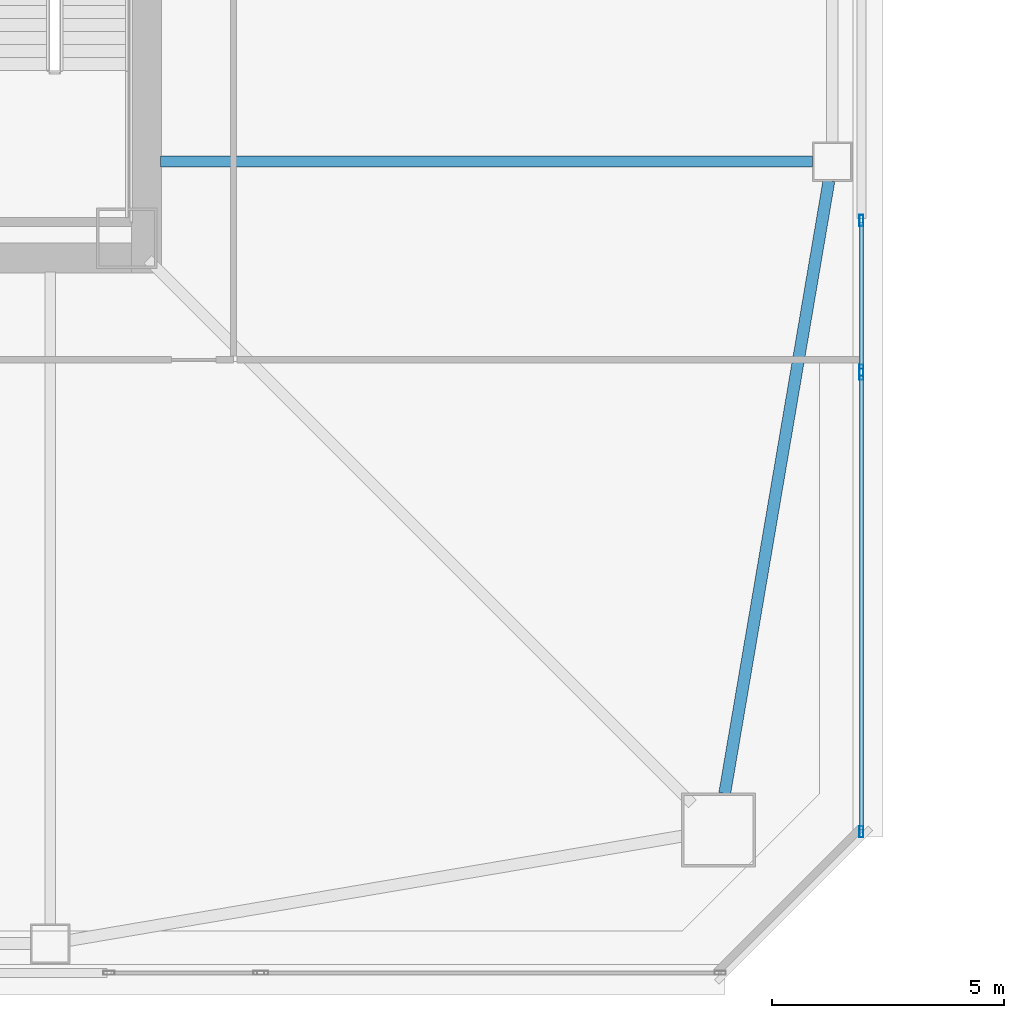
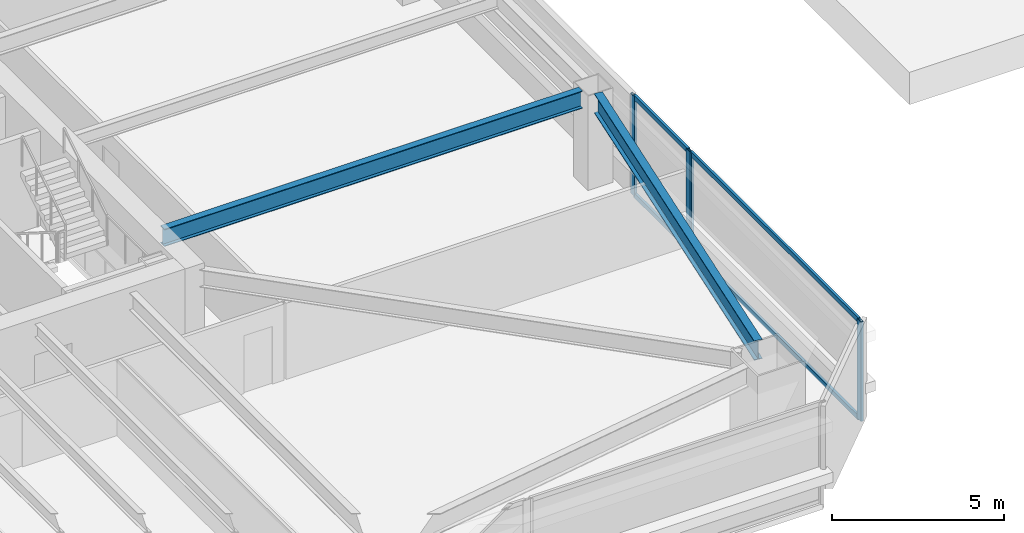
# One storey, part 10 of 46: 8 members, 2 beams, 2 elements without a shape of their own.
"""IFC4 building model written with IfcOpenShell, lengths in metres."""

from ifc_helpers import new_model, si_unit, direction, frame, origin, origin_2d, place, context, subcontext, project, spatial, hollow_rectangle, i_section, extrude, material, material_profile, profile_set, type_object, element, aggregate, save


model = new_model("IFC4")

# Units and contexts
model_context = context("Model", 3, precision=1e-05, world=origin(), true_north=direction((0.0, 1.0)))
body_context = subcontext(model_context, "Body", "Model", "MODEL_VIEW")
ifc_project = project(units=[si_unit("LENGTHUNIT", "METRE"), si_unit("AREAUNIT", "SQUARE_METRE"), si_unit("VOLUMEUNIT", "CUBIC_METRE"), si_unit("PLANEANGLEUNIT", "RADIAN"), si_unit("MASSUNIT", "GRAM", prefix="KILO")], contexts=[model_context])

# Site, building, storey
site_placement = place(None, origin())
site = spatial("IfcSite", under=ifc_project, at=site_placement, CompositionType="ELEMENT")
building_placement = place(site_placement, origin())
building = spatial("IfcBuilding", under=site, at=building_placement, Name="Tashvorn Skyway Center", CompositionType="ELEMENT")
storey_placement = place(building_placement, frame((0.0, 0.0, 31.699951171875)))
storey = spatial("IfcBuildingStorey", under=building, at=storey_placement, Name="L07", CompositionType="ELEMENT", Elevation=31.699951171875)

# Beams
ifc_material_1 = material(Name="Steel ASTM A992 Grade 50", Category="steel")
ifc_material_profile_1 = material_profile(ifc_material_1, i_section(OverallWidth=0.22998046875, OverallDepth=0.616943359375, WebThickness=0.01318359375, FlangeThickness=0.022216796875, at=origin_2d()), Name="W24X94")
ifc_profile_set_1 = profile_set([ifc_material_profile_1], Name="Steel ASTM A992 Grade 50")
beam_type_1 = type_object("IfcBeamType", Name="BM-BEAM-W24X94", PredefinedType="BEAM", material=ifc_profile_set_1)
beam_1_placement = place(storey_placement, frame((63.830078125, 26.60009765625, 3.04150390625), z_axis=(-1.0, 0.0, 0.0), x_axis=(0.0, -1.0, 0.0)))
element("IfcBeam", 1, at=beam_1_placement, inside=storey, type_object=beam_type_1, Name="Tower 1 L07 Primary Floor Girder FC-E1", PredefinedType="BEAM", context=body_context, shape_type="SweptSolid", body=[
    extrude(i_section(OverallWidth=0.22998046875, OverallDepth=0.616943359375, WebThickness=0.01318359375, FlangeThickness=0.022216796875, at=origin_2d()), origin(), (0.0, 0.0, 1.0), 14.050048828125),
])
ifc_material_profile_2 = material_profile(ifc_material_1, i_section(OverallWidth=0.256103515625, OverallDepth=0.693115234375, WebThickness=0.014404296875, FlangeThickness=0.023681640625, at=origin_2d()), Name="W27X114")
ifc_profile_set_2 = profile_set([ifc_material_profile_2], Name="Steel ASTM A992 Grade 50")
beam_type_2 = type_object("IfcBeamType", Name="BM-SPANDREL-W27X114", PredefinedType="SPANDREL", material=ifc_profile_set_2)
beam_2_placement = place(storey_placement, frame((61.933349609375, 12.983642578125, 3.003662109375), z_axis=(0.16771792509, 0.985835025551, 0.0), x_axis=(-0.985835025551, 0.16771792509, 0.0)))
element("IfcBeam", 2, at=beam_2_placement, inside=storey, type_object=beam_type_2, Name="Tower 1 L07 Spandrel Beam 04", PredefinedType="SPANDREL", context=body_context, shape_type="SweptSolid", body=[
    extrude(i_section(OverallWidth=0.256103515625, OverallDepth=0.693115234375, WebThickness=0.014404296875, FlangeThickness=0.023681640625, at=origin_2d()), origin(), (0.0, 0.0, 1.0), 13.39208984375),
])

# Curtain wall, members
ifc_material_2 = material(Name="Thermally broken bronze-anodized aluminium 6063-T6", Category="aluminium")
curtain_wall_type = type_object("IfcCurtainWallType", Name="CW-CW-Z1", PredefinedType="NOTDEFINED", material=ifc_material_2)
curtain_wall_1_placement = place(storey_placement, origin())
curtain_wall_1 = element("IfcCurtainWall", 3, at=curtain_wall_1_placement, inside=storey, type_object=curtain_wall_type, Name="Tower 1 L07 East Unitised Curtain Wall Glazing Group 3", PredefinedType="NOTDEFINED")
ifc_material_profile_3 = material_profile(ifc_material_2, hollow_rectangle(XDim=0.0849609375, YDim=0.239990234375, WallThickness=0.0048828125, at=origin_2d()), Name="ALU-MULL-85x240")
ifc_profile_set_3 = profile_set([ifc_material_profile_3], Name="Thermally broken bronze-anodized aluminium 6063-T6")
member_type_1 = type_object("IfcMemberType", Name="CWM-CW-Z1", PredefinedType="MULLION", material=ifc_profile_set_3)
member_1_placement = place(storey_placement, frame((64.8798828125, 25.330810546875, 0.0), z_axis=(0.0, 0.0, 1.0), x_axis=(1.0, 0.0, 0.0)))
member_1 = element("IfcMember", 4, at=member_1_placement, type_object=member_type_1, Name="CW-Z1 mullion 1", PredefinedType="MULLION", context=body_context, shape_type="SweptSolid", body=[
    extrude(hollow_rectangle(XDim=0.0849609375, YDim=0.239990234375, WallThickness=0.0048828125, at=origin_2d()), origin(), (0.0, 0.0, 1.0), 3.550048828125),
])
member_2_placement = place(storey_placement, frame((64.8798828125, 22.1025390625, 0.0), z_axis=(0.0, 0.0, 1.0), x_axis=(1.0, 0.0, 0.0)))
member_2 = element("IfcMember", 5, at=member_2_placement, type_object=member_type_1, Name="CW-Z1 mullion 2", PredefinedType="MULLION", context=body_context, shape_type="SweptSolid", body=[
    extrude(hollow_rectangle(XDim=0.0849609375, YDim=0.239990234375, WallThickness=0.0048828125, at=origin_2d()), origin(), (0.0, 0.0, 1.0), 3.550048828125),
])

curtain_wall_2_placement = place(storey_placement, origin())
curtain_wall_2 = element("IfcCurtainWall", 6, at=curtain_wall_2_placement, inside=storey, type_object=curtain_wall_type, Name="Tower 1 L07 East Unitised Curtain Wall Glazing Group 4", PredefinedType="NOTDEFINED")
member_3_placement = place(storey_placement, frame((64.8798828125, 22.017578125, 0.0), z_axis=(0.0, 0.0, 1.0), x_axis=(1.0, 0.0, 0.0)))
member_3 = element("IfcMember", 7, at=member_3_placement, type_object=member_type_1, Name="CW-Z1 mullion 1", PredefinedType="MULLION", context=body_context, shape_type="SweptSolid", body=[
    extrude(hollow_rectangle(XDim=0.0849609375, YDim=0.239990234375, WallThickness=0.0048828125, at=origin_2d()), origin(), (0.0, 0.0, 1.0), 3.550048828125),
])
member_4_placement = place(storey_placement, frame((64.8798828125, 12.16259765625, 0.0), z_axis=(0.0, 0.0, 1.0), x_axis=(1.0, 0.0, 0.0)))
member_4 = element("IfcMember", 8, at=member_4_placement, type_object=member_type_1, Name="CW-Z1 mullion 2", PredefinedType="MULLION", context=body_context, shape_type="SweptSolid", body=[
    extrude(hollow_rectangle(XDim=0.0849609375, YDim=0.239990234375, WallThickness=0.0048828125, at=origin_2d()), origin(), (0.0, 0.0, 1.0), 3.550048828125),
])

# Member
ifc_material_profile_4 = material_profile(ifc_material_2, hollow_rectangle(XDim=0.0849609375, YDim=0.1650390625, WallThickness=0.0048828125, at=origin_2d()), Name="ALU-TRAN-85x165")
ifc_profile_set_4 = profile_set([ifc_material_profile_4], Name="Thermally broken bronze-anodized aluminium 6063-T6")
member_type_2 = type_object("IfcMemberType", Name="CWT-CW-Z1", PredefinedType="USERDEFINED", material=ifc_profile_set_4)
member_5_placement = place(storey_placement, frame((64.8798828125, 25.288330078125, 0.04248046875), z_axis=(0.0, -1.0, 0.0), x_axis=(1.0, 0.0, 0.0)))
member_5 = element("IfcMember", 9, at=member_5_placement, type_object=member_type_2, Name="CW-Z1 transom 1.1", ObjectType="TRANSOM", PredefinedType="USERDEFINED", context=body_context, shape_type="SweptSolid", body=[
    extrude(hollow_rectangle(XDim=0.0849609375, YDim=0.1650390625, WallThickness=0.0048828125, at=origin_2d()), origin(), (0.0, 0.0, 1.0), 3.143310546875),
])

member_6_placement = place(storey_placement, frame((64.8798828125, 25.288330078125, 3.507568359375), z_axis=(0.0, -1.0, 0.0), x_axis=(1.0, 0.0, 0.0)))
member_6 = element("IfcMember", 10, at=member_6_placement, type_object=member_type_2, Name="CW-Z1 transom 1.2", ObjectType="TRANSOM", PredefinedType="USERDEFINED", context=body_context, shape_type="SweptSolid", body=[
    extrude(hollow_rectangle(XDim=0.0849609375, YDim=0.1650390625, WallThickness=0.0048828125, at=origin_2d()), origin(), (0.0, 0.0, 1.0), 3.143310546875),
])

aggregate(curtain_wall_1, [member_1, member_2, member_5, member_6])

member_7_placement = place(storey_placement, frame((64.8798828125, 21.97509765625, 0.04248046875), z_axis=(0.0, -1.0, 0.0), x_axis=(1.0, 0.0, 0.0)))
member_7 = element("IfcMember", 11, at=member_7_placement, type_object=member_type_2, Name="CW-Z1 transom 1.1", ObjectType="TRANSOM", PredefinedType="USERDEFINED", context=body_context, shape_type="SweptSolid", body=[
    extrude(hollow_rectangle(XDim=0.0849609375, YDim=0.1650390625, WallThickness=0.0048828125, at=origin_2d()), origin(), (0.0, 0.0, 1.0), 9.77001953125),
])

member_8_placement = place(storey_placement, frame((64.8798828125, 21.97509765625, 3.507568359375), z_axis=(0.0, -1.0, 0.0), x_axis=(1.0, 0.0, 0.0)))
member_8 = element("IfcMember", 12, at=member_8_placement, type_object=member_type_2, Name="CW-Z1 transom 1.2", ObjectType="TRANSOM", PredefinedType="USERDEFINED", context=body_context, shape_type="SweptSolid", body=[
    extrude(hollow_rectangle(XDim=0.0849609375, YDim=0.1650390625, WallThickness=0.0048828125, at=origin_2d()), origin(), (0.0, 0.0, 1.0), 9.77001953125),
])

aggregate(curtain_wall_2, [member_3, member_4, member_7, member_8])

save(model, "model.ifc")
